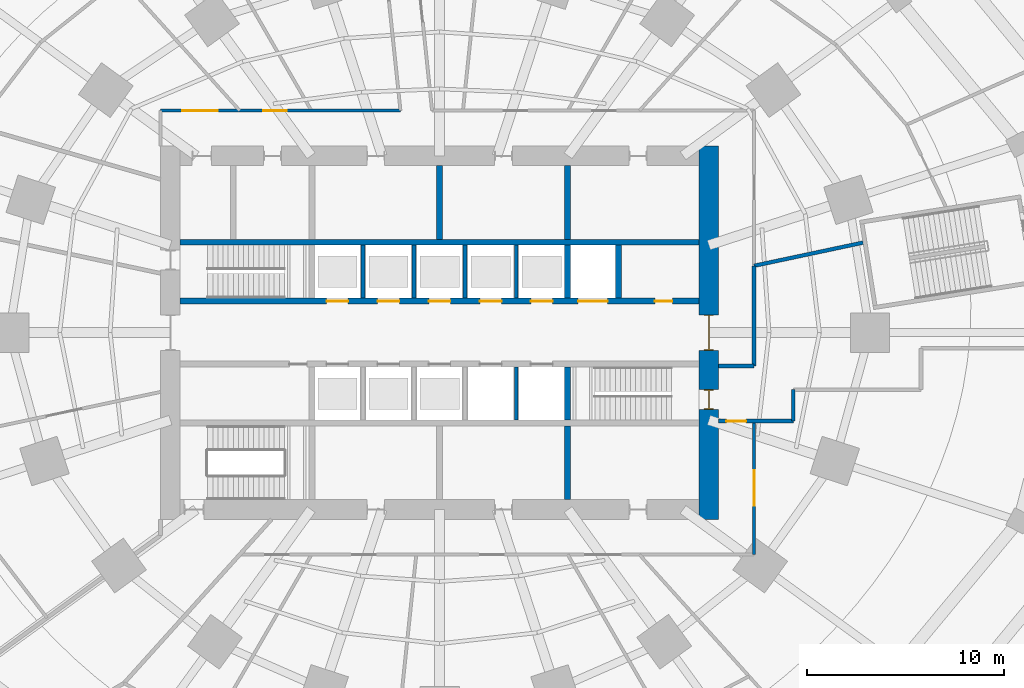
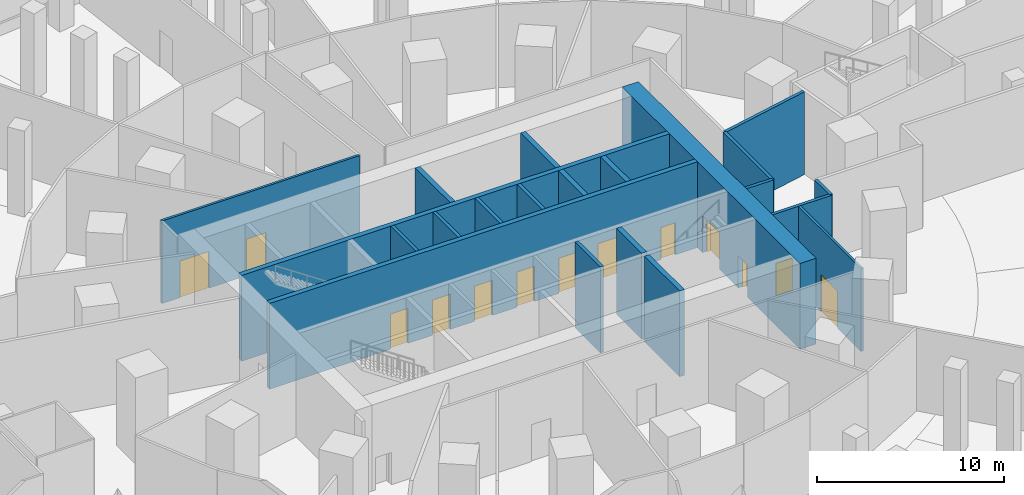
# One storey, part 17 of 23: 21 walls, 13 doors, 13 openings.
"""IFC4 building model written with IfcOpenShell, lengths in metres."""

from ifc_helpers import new_model, si_unit, direction, frame, frame_2d, origin, place, context, subcontext, project, spatial, rectangle, extrude, material, layer, layer_set, type_object, element, fill, save


model = new_model("IFC4")

# Units and contexts
model_context = context("Model", 3, precision=1e-05, world=origin(), true_north=direction((0.0, 1.0)))
body_context = subcontext(model_context, "Body", "Model", "MODEL_VIEW")
ifc_project = project(units=[si_unit("LENGTHUNIT", "METRE"), si_unit("AREAUNIT", "SQUARE_METRE"), si_unit("VOLUMEUNIT", "CUBIC_METRE"), si_unit("PLANEANGLEUNIT", "RADIAN"), si_unit("MASSUNIT", "GRAM", prefix="KILO")], contexts=[model_context])

# Site, building, storey
site_placement = place(None, origin())
site = spatial("IfcSite", under=ifc_project, at=site_placement, CompositionType="ELEMENT")
building_placement = place(site_placement, origin())
building = spatial("IfcBuilding", under=site, at=building_placement, Name="Marramba Exchange Tower", CompositionType="ELEMENT")
storey_placement = place(building_placement, origin())
storey = spatial("IfcBuildingStorey", under=building, at=storey_placement, Name="L00", CompositionType="ELEMENT", Elevation=0.0)

# Walls
ifc_material_1 = material(Name="Concrete N50", Category="concrete")
ifc_layer_1 = layer(ifc_material_1, 0.199951171875)
ifc_layer_set_1 = layer_set([ifc_layer_1], Name="Core shaft wall 200")
wall_type_1 = type_object("IfcWallType", Name="Core shaft wall 200", PredefinedType="SHEAR", material=ifc_layer_set_1)
for number, where, z_axis, x_axis, name in (
    (1, (-3.89990234375, 1.75, 0.0), (0.0, 0.0, 1.0), (0.0, 1.0, 0.0), "Core wall SHN1 L00"),
    (2, (-1.300048828125, 1.75, 0.0), (0.0, 0.0, 1.0), (0.0, 1.0, 0.0), "Core wall SHN2 L00"),
    (3, (1.300048828125, 1.75, 0.0), (0.0, 0.0, 1.0), (0.0, 1.0, 0.0), "Core wall SHN3 L00"),
    (4, (3.89990234375, 1.75, 0.0), (0.0, 0.0, 1.0), (0.0, 1.0, 0.0), "Core wall SHN4 L00"),
    (5, (3.89990234375, -1.75, 0.0), (0.0, 0.0, 1.0), (0.0, -1.0, 0.0), "Core wall SHS4 L00"),
):
    element("IfcWall", number, at=place(storey_placement, frame(where, z_axis=z_axis, x_axis=x_axis)), inside=storey, type_object=wall_type_1, Name=name, PredefinedType="SHEAR", context=body_context, shape_type="SweptSolid", body=[
        extrude(rectangle(XDim=2.699951171875, YDim=0.199951171875, at=frame_2d((1.35009765625, 0.0))), origin(), (0.0, 0.0, 1.0), 5.60009765625),
    ])

# Wall, openings, doors
ifc_layer_2 = layer(ifc_material_1, 1.0)
ifc_layer_set_2 = layer_set([ifc_layer_2], Name="Core wall 1000")
wall_type_2 = type_object("IfcWallType", Name="Core wall 1000", PredefinedType="SHEAR", material=ifc_layer_set_2)
wall_1_placement = place(storey_placement, frame((13.699951171875, -9.5, 0.0), z_axis=(0.0, 0.0, 1.0), x_axis=(0.0, 1.0, 0.0)))
wall_1 = element("IfcWall", 6, at=wall_1_placement, inside=storey, type_object=wall_type_2, Name="Core wall E L00", PredefinedType="SHEAR", context=body_context, shape_type="SweptSolid", body=[
    extrude(rectangle(XDim=19.0, YDim=1.0, at=frame_2d((9.5, 0.0))), origin(), (0.0, 0.0, 1.0), 5.60009765625),
])
opening_1_placement = place(wall_1_placement, frame((8.60009765625, 0.0, 0.0)))
opening_1 = element("IfcOpeningElement", 7, at=opening_1_placement, cuts=wall_1, Name="Opening D1", PredefinedType="OPENING", context=body_context, shape_type="SweptSolid", body=[
    extrude(rectangle(XDim=1.800048828125, YDim=2.39990234375, at=frame_2d((0.89990234375, 1.199951171875))), frame((0.0, 0.510009765625, 0.0), z_axis=(0.0, -1.0, 0.0), x_axis=(1.0, 0.0, 0.0)), (0.0, 0.0, 1.0), 1.02001953125),
])
opening_2_placement = place(wall_1_placement, frame((5.60009765625, 0.0, 0.0)))
opening_2 = element("IfcOpeningElement", 8, at=opening_2_placement, cuts=wall_1, Name="Opening D2", PredefinedType="OPENING", context=body_context, shape_type="SweptSolid", body=[
    extrude(rectangle(XDim=1.0, YDim=2.10009765625, at=frame_2d((0.5, 1.050048828125))), frame((0.0, 0.510009765625, 0.0), z_axis=(0.0, -1.0, 0.0), x_axis=(1.0, 0.0, 0.0)), (0.0, 0.0, 1.0), 1.02001953125),
])
ifc_material_2 = material(Name="Steel-framed door", Category="steel")
door_type_1 = type_object("IfcDoorType", Name="Lobby exit door 1800x2400", OperationType="DOUBLE_DOOR_SINGLE_SWING", PredefinedType="DOOR", material=ifc_material_2)
door_1_placement = place(opening_1_placement, origin())
door_1 = element("IfcDoor", 9, at=door_1_placement, inside=storey, type_object=door_type_1, Name="D1 lobby exit east L00", OperationType="DOUBLE_DOOR_SINGLE_SWING", OverallHeight=2.39990234375, OverallWidth=1.800048828125, PredefinedType="DOOR", context=body_context, shape_type="SweptSolid", body=[
    extrude(rectangle(XDim=1.719970703125, YDim=2.35986328125, at=frame_2d((0.89990234375, 1.179931640625))), frame((0.0, 0.02490234375, 0.0), z_axis=(0.0, -1.0, 0.0), x_axis=(1.0, 0.0, 0.0)), (0.0, 0.0, 1.0), 0.050048828125),
    extrude(rectangle(XDim=0.04, YDim=2.39990234375, at=frame_2d((0.02001953125, 1.199951171875))), frame((0.0, 0.25, 0.0), z_axis=(0.0, -1.0, 0.0), x_axis=(1.0, 0.0, 0.0)), (0.0, 0.0, 1.0), 0.5),
    extrude(rectangle(XDim=0.04, YDim=2.39990234375, at=frame_2d((1.780029296875, 1.199951171875))), frame((0.0, 0.25, 0.0), z_axis=(0.0, -1.0, 0.0), x_axis=(1.0, 0.0, 0.0)), (0.0, 0.0, 1.0), 0.5),
    extrude(rectangle(XDim=1.719970703125, YDim=0.04, at=frame_2d((0.89990234375, 2.3798828125))), frame((0.0, 0.25, 0.0), z_axis=(0.0, -1.0, 0.0), x_axis=(1.0, 0.0, 0.0)), (0.0, 0.0, 1.0), 0.5),
])
fill(opening_1, door_1)
door_type_2 = type_object("IfcDoorType", Name="Stair door 1000x2100", OperationType="SINGLE_SWING_LEFT", PredefinedType="DOOR", material=ifc_material_2)
door_2_placement = place(opening_2_placement, frame((1.0, 0.0, 0.0), z_axis=(0.0, 0.0, 1.0), x_axis=(-1.0, 0.0, 0.0)))
door_2 = element("IfcDoor", 10, at=door_2_placement, inside=storey, type_object=door_type_2, Name="D2 stair ST2 L00", OperationType="SINGLE_SWING_RIGHT", OverallHeight=2.10009765625, OverallWidth=1.0, PredefinedType="DOOR", context=body_context, shape_type="SweptSolid", body=[
    extrude(rectangle(XDim=0.919921875, YDim=2.06005859375, at=frame_2d((0.5, 1.030029296875))), frame((0.0, 0.025146484375, 0.0), z_axis=(0.0, -1.0, 0.0), x_axis=(1.0, 0.0, 0.0)), (0.0, 0.0, 1.0), 0.050048828125),
    extrude(rectangle(XDim=0.04, YDim=2.10009765625, at=frame_2d((0.97998046875, 1.050048828125))), frame((0.0, 0.25, 0.0), z_axis=(0.0, -1.0, 0.0), x_axis=(1.0, 0.0, 0.0)), (0.0, 0.0, 1.0), 0.5),
    extrude(rectangle(XDim=0.04, YDim=2.10009765625, at=frame_2d((0.02001953125, 1.050048828125))), frame((0.0, 0.25, 0.0), z_axis=(0.0, -1.0, 0.0), x_axis=(1.0, 0.0, 0.0)), (0.0, 0.0, 1.0), 0.5),
    extrude(rectangle(XDim=0.919921875, YDim=0.04, at=frame_2d((0.5, 2.080078125))), frame((0.0, 0.25, 0.0), z_axis=(0.0, -1.0, 0.0), x_axis=(1.0, 0.0, 0.0)), (0.0, 0.0, 1.0), 0.5),
])
fill(opening_2, door_2)

ifc_layer_3 = layer(ifc_material_1, 0.300048828125)
ifc_layer_set_3 = layer_set([ifc_layer_3], Name="Core wall 300")
wall_type_3 = type_object("IfcWallType", Name="Core wall 300", PredefinedType="SHEAR", material=ifc_layer_set_3)
wall_2_placement = place(storey_placement, frame((-13.199951171875, 1.60009765625, 0.0), z_axis=(0.0, 0.0, 1.0), x_axis=(1.0, 0.0, 0.0)))
wall_2 = element("IfcWall", 11, at=wall_2_placement, inside=storey, type_object=wall_type_3, Name="Core wall LN L00", PredefinedType="SHEAR", context=body_context, shape_type="SweptSolid", body=[
    extrude(rectangle(XDim=26.39990234375, YDim=0.300048828125, at=frame_2d((13.199951171875, 0.0))), origin(), (0.0, 0.0, 1.0), 5.60009765625),
])
opening_3_placement = place(wall_2_placement, frame((20.25, 0.0, 0.0)))
opening_3 = element("IfcOpeningElement", 12, at=opening_3_placement, cuts=wall_2, Name="Opening LD3", PredefinedType="OPENING", context=body_context, shape_type="SweptSolid", body=[
    extrude(rectangle(XDim=1.5, YDim=2.39990234375, at=frame_2d((0.75, 1.199951171875))), frame((0.0, 0.159912109375, 0.0), z_axis=(0.0, -1.0, 0.0), x_axis=(1.0, 0.0, 0.0)), (0.0, 0.0, 1.0), 0.320068359375),
])
opening_4_placement = place(wall_2_placement, frame((7.449951171875, 0.0, 0.0)))
opening_4 = element("IfcOpeningElement", 13, at=opening_4_placement, cuts=wall_2, Name="Opening LD1", PredefinedType="OPENING", context=body_context, shape_type="SweptSolid", body=[
    extrude(rectangle(XDim=1.10009765625, YDim=2.300048828125, at=frame_2d((0.550048828125, 1.14990234375))), frame((0.0, 0.159912109375, 0.0), z_axis=(0.0, -1.0, 0.0), x_axis=(1.0, 0.0, 0.0)), (0.0, 0.0, 1.0), 0.320068359375),
])
opening_5_placement = place(wall_2_placement, frame((10.050048828125, 0.0, 0.0)))
opening_5 = element("IfcOpeningElement", 14, at=opening_5_placement, cuts=wall_2, Name="Opening LD1", PredefinedType="OPENING", context=body_context, shape_type="SweptSolid", body=[
    extrude(rectangle(XDim=1.10009765625, YDim=2.300048828125, at=frame_2d((0.550048828125, 1.14990234375))), frame((0.0, 0.159912109375, 0.0), z_axis=(0.0, -1.0, 0.0), x_axis=(1.0, 0.0, 0.0)), (0.0, 0.0, 1.0), 0.320068359375),
])
opening_6_placement = place(wall_2_placement, frame((12.64990234375, 0.0, 0.0)))
opening_6 = element("IfcOpeningElement", 15, at=opening_6_placement, cuts=wall_2, Name="Opening LD1", PredefinedType="OPENING", context=body_context, shape_type="SweptSolid", body=[
    extrude(rectangle(XDim=1.10009765625, YDim=2.300048828125, at=frame_2d((0.550048828125, 1.14990234375))), frame((0.0, 0.159912109375, 0.0), z_axis=(0.0, -1.0, 0.0), x_axis=(1.0, 0.0, 0.0)), (0.0, 0.0, 1.0), 0.320068359375),
])
opening_7_placement = place(wall_2_placement, frame((15.25, 0.0, 0.0)))
opening_7 = element("IfcOpeningElement", 16, at=opening_7_placement, cuts=wall_2, Name="Opening LD1", PredefinedType="OPENING", context=body_context, shape_type="SweptSolid", body=[
    extrude(rectangle(XDim=1.10009765625, YDim=2.300048828125, at=frame_2d((0.550048828125, 1.14990234375))), frame((0.0, 0.159912109375, 0.0), z_axis=(0.0, -1.0, 0.0), x_axis=(1.0, 0.0, 0.0)), (0.0, 0.0, 1.0), 0.320068359375),
])
opening_8_placement = place(wall_2_placement, frame((17.85009765625, 0.0, 0.0)))
opening_8 = element("IfcOpeningElement", 17, at=opening_8_placement, cuts=wall_2, Name="Opening LD1", PredefinedType="OPENING", context=body_context, shape_type="SweptSolid", body=[
    extrude(rectangle(XDim=1.10009765625, YDim=2.300048828125, at=frame_2d((0.550048828125, 1.14990234375))), frame((0.0, 0.159912109375, 0.0), z_axis=(0.0, -1.0, 0.0), x_axis=(1.0, 0.0, 0.0)), (0.0, 0.0, 1.0), 0.320068359375),
])
opening_9_placement = place(wall_2_placement, frame((24.14990234375, 0.0, 0.0)))
opening_9 = element("IfcOpeningElement", 18, at=opening_9_placement, cuts=wall_2, Name="Opening D5", PredefinedType="OPENING", context=body_context, shape_type="SweptSolid", body=[
    extrude(rectangle(XDim=0.89990234375, YDim=2.10009765625, at=frame_2d((0.449951171875, 1.050048828125))), frame((0.0, 0.159912109375, 0.0), z_axis=(0.0, -1.0, 0.0), x_axis=(1.0, 0.0, 0.0)), (0.0, 0.0, 1.0), 0.320068359375),
])
door_type_3 = type_object("IfcDoorType", Name="Goods lift landing door 1500x2400", OperationType="SLIDING_TO_LEFT", PredefinedType="DOOR", material=ifc_material_2)
door_3_placement = place(opening_3_placement, origin())
door_3 = element("IfcDoor", 19, at=door_3_placement, inside=storey, type_object=door_type_3, Name="GL1 landing door L00", OperationType="SLIDING_TO_RIGHT", OverallHeight=2.39990234375, OverallWidth=1.5, PredefinedType="DOOR", context=body_context, shape_type="SweptSolid", body=[
    extrude(rectangle(XDim=1.5, YDim=2.39990234375, at=frame_2d((0.75, 1.199951171875))), frame((0.0, 0.02490234375, 0.0), z_axis=(0.0, -1.0, 0.0), x_axis=(1.0, 0.0, 0.0)), (0.0, 0.0, 1.0), 0.050048828125),
])
fill(opening_3, door_3)
door_type_4 = type_object("IfcDoorType", Name="Lift landing door 1100x2300", OperationType="SLIDING_TO_LEFT", PredefinedType="DOOR", material=ifc_material_2)
door_4_placement = place(opening_4_placement, origin())
door_4 = element("IfcDoor", 20, at=door_4_placement, inside=storey, type_object=door_type_4, Name="LA1 landing door L00", OperationType="SLIDING_TO_LEFT", OverallHeight=2.300048828125, OverallWidth=1.10009765625, PredefinedType="DOOR", context=body_context, shape_type="SweptSolid", body=[
    extrude(rectangle(XDim=1.10009765625, YDim=2.300048828125, at=frame_2d((0.550048828125, 1.14990234375))), frame((0.0, 0.02490234375, 0.0), z_axis=(0.0, -1.0, 0.0), x_axis=(1.0, 0.0, 0.0)), (0.0, 0.0, 1.0), 0.050048828125),
])
fill(opening_4, door_4)
door_5_placement = place(opening_5_placement, origin())
door_5 = element("IfcDoor", 21, at=door_5_placement, inside=storey, type_object=door_type_4, Name="LA2 landing door L00", OperationType="SLIDING_TO_LEFT", OverallHeight=2.300048828125, OverallWidth=1.10009765625, PredefinedType="DOOR", context=body_context, shape_type="SweptSolid", body=[
    extrude(rectangle(XDim=1.10009765625, YDim=2.300048828125, at=frame_2d((0.550048828125, 1.14990234375))), frame((0.0, 0.02490234375, 0.0), z_axis=(0.0, -1.0, 0.0), x_axis=(1.0, 0.0, 0.0)), (0.0, 0.0, 1.0), 0.050048828125),
])
fill(opening_5, door_5)
door_6_placement = place(opening_6_placement, origin())
door_6 = element("IfcDoor", 22, at=door_6_placement, inside=storey, type_object=door_type_4, Name="LA3 landing door L00", OperationType="SLIDING_TO_LEFT", OverallHeight=2.300048828125, OverallWidth=1.10009765625, PredefinedType="DOOR", context=body_context, shape_type="SweptSolid", body=[
    extrude(rectangle(XDim=1.10009765625, YDim=2.300048828125, at=frame_2d((0.550048828125, 1.14990234375))), frame((0.0, 0.02490234375, 0.0), z_axis=(0.0, -1.0, 0.0), x_axis=(1.0, 0.0, 0.0)), (0.0, 0.0, 1.0), 0.050048828125),
])
fill(opening_6, door_6)
door_7_placement = place(opening_7_placement, origin())
door_7 = element("IfcDoor", 23, at=door_7_placement, inside=storey, type_object=door_type_4, Name="LD1 landing door L00", OperationType="SLIDING_TO_LEFT", OverallHeight=2.300048828125, OverallWidth=1.10009765625, PredefinedType="DOOR", context=body_context, shape_type="SweptSolid", body=[
    extrude(rectangle(XDim=1.10009765625, YDim=2.300048828125, at=frame_2d((0.550048828125, 1.14990234375))), frame((0.0, 0.02490234375, 0.0), z_axis=(0.0, -1.0, 0.0), x_axis=(1.0, 0.0, 0.0)), (0.0, 0.0, 1.0), 0.050048828125),
])
fill(opening_7, door_7)
door_8_placement = place(opening_8_placement, origin())
door_8 = element("IfcDoor", 24, at=door_8_placement, inside=storey, type_object=door_type_4, Name="LD2 landing door L00", OperationType="SLIDING_TO_LEFT", OverallHeight=2.300048828125, OverallWidth=1.10009765625, PredefinedType="DOOR", context=body_context, shape_type="SweptSolid", body=[
    extrude(rectangle(XDim=1.10009765625, YDim=2.300048828125, at=frame_2d((0.550048828125, 1.14990234375))), frame((0.0, 0.02490234375, 0.0), z_axis=(0.0, -1.0, 0.0), x_axis=(1.0, 0.0, 0.0)), (0.0, 0.0, 1.0), 0.050048828125),
])
fill(opening_8, door_8)
door_type_5 = type_object("IfcDoorType", Name="Service door 900x2100", OperationType="SINGLE_SWING_LEFT", PredefinedType="DOOR", material=ifc_material_2)
door_9_placement = place(opening_9_placement, origin())
door_9 = element("IfcDoor", 25, at=door_9_placement, inside=storey, type_object=door_type_5, Name="D5 riser L00", OperationType="SINGLE_SWING_RIGHT", OverallHeight=2.10009765625, OverallWidth=0.89990234375, PredefinedType="DOOR", context=body_context, shape_type="SweptSolid", body=[
    extrude(rectangle(XDim=0.89990234375, YDim=2.10009765625, at=frame_2d((0.449951171875, 1.050048828125))), frame((0.0, 0.02490234375, 0.0), z_axis=(0.0, -1.0, 0.0), x_axis=(1.0, 0.0, 0.0)), (0.0, 0.0, 1.0), 0.050048828125),
])
fill(opening_9, door_9)

# Walls
wall_3_placement = place(storey_placement, frame((-13.199951171875, 4.60009765625, 0.0), z_axis=(0.0, 0.0, 1.0), x_axis=(1.0, 0.0, 0.0)))
element("IfcWall", 26, at=wall_3_placement, inside=storey, type_object=wall_type_3, Name="Core wall BN L00", PredefinedType="SHEAR", context=body_context, shape_type="SweptSolid", body=[
    extrude(rectangle(XDim=26.39990234375, YDim=0.300048828125, at=frame_2d((13.199951171875, 0.0))), origin(), (0.0, 0.0, 1.0), 5.60009765625),
])
wall_4_placement = place(storey_placement, frame((6.5, 1.75, 0.0), z_axis=(0.0, 0.0, 1.0), x_axis=(0.0, 1.0, 0.0)))
element("IfcWall", 27, at=wall_4_placement, inside=storey, type_object=wall_type_3, Name="Core wall X1Na L00", PredefinedType="SHEAR", context=body_context, shape_type="SweptSolid", body=[
    extrude(rectangle(XDim=2.699951171875, YDim=0.300048828125, at=frame_2d((1.35009765625, 0.0))), origin(), (0.0, 0.0, 1.0), 5.60009765625),
])
for number, where, z_axis, x_axis, name in (
    (28, (6.5, 4.75, 0.0), (0.0, 0.0, 1.0), (0.0, 1.0, 0.0), "Core wall X1Nb L00"),
    (29, (0.0, 4.75, 0.0), (0.0, 0.0, 1.0), (0.0, 1.0, 0.0), "Core wall MN L00"),
):
    element("IfcWall", number, at=place(storey_placement, frame(where, z_axis=z_axis, x_axis=x_axis)), inside=storey, type_object=wall_type_3, Name=name, PredefinedType="SHEAR", context=body_context, shape_type="SweptSolid", body=[
        extrude(rectangle(XDim=3.75, YDim=0.300048828125, at=frame_2d((1.875, 0.0))), origin(), (0.0, 0.0, 1.0), 5.60009765625),
    ])
wall_5_placement = place(storey_placement, frame((6.5, -1.75, 0.0), z_axis=(0.0, 0.0, 1.0), x_axis=(0.0, -1.0, 0.0)))
element("IfcWall", 30, at=wall_5_placement, inside=storey, type_object=wall_type_3, Name="Core wall X1Sa L00", PredefinedType="SHEAR", context=body_context, shape_type="SweptSolid", body=[
    extrude(rectangle(XDim=2.699951171875, YDim=0.300048828125, at=frame_2d((1.35009765625, 0.0))), origin(), (0.0, 0.0, 1.0), 5.60009765625),
])
wall_6_placement = place(storey_placement, frame((6.5, -4.75, 0.0), z_axis=(0.0, 0.0, 1.0), x_axis=(0.0, -1.0, 0.0)))
element("IfcWall", 31, at=wall_6_placement, inside=storey, type_object=wall_type_3, Name="Core wall X1Sb L00", PredefinedType="SHEAR", context=body_context, shape_type="SweptSolid", body=[
    extrude(rectangle(XDim=3.75, YDim=0.300048828125, at=frame_2d((1.875, 0.0))), origin(), (0.0, 0.0, 1.0), 5.60009765625),
])
wall_7_placement = place(storey_placement, frame((9.10009765625, 1.75, 0.0), z_axis=(0.0, 0.0, 1.0), x_axis=(0.0, 1.0, 0.0)))
element("IfcWall", 32, at=wall_7_placement, inside=storey, type_object=wall_type_3, Name="Core wall ED L00", PredefinedType="SHEAR", context=body_context, shape_type="SweptSolid", body=[
    extrude(rectangle(XDim=2.699951171875, YDim=0.300048828125, at=frame_2d((1.35009765625, 0.0))), origin(), (0.0, 0.0, 1.0), 5.60009765625),
])

# Wall, opening, door
ifc_material_3 = material(Name="Core-filled concrete blockwork, rendered", Category="masonry")
ifc_layer_4 = layer(ifc_material_3, 0.18994140625)
ifc_layer_set_4 = layer_set([ifc_layer_4], Name="Equipment room wall 190")
wall_type_4 = type_object("IfcWallType", Name="Equipment room wall 190", PredefinedType="SOLIDWALL", material=ifc_layer_set_4)
wall_8_placement = place(storey_placement, frame((14.199951171875, -4.5, 0.0), z_axis=(0.0, 0.0, 1.0), x_axis=(1.0, 0.0, 0.0)))
wall_8 = element("IfcWall", 33, at=wall_8_placement, inside=storey, type_object=wall_type_4, Name="Fire control room wall L00 36", PredefinedType="SOLIDWALL", context=body_context, shape_type="SweptSolid", body=[
    extrude(rectangle(XDim=3.800048828125, YDim=0.18994140625, at=frame_2d((1.89990234375, 0.0))), origin(), (0.0, 0.0, 1.0), 5.39990234375),
])
opening_10_placement = place(wall_8_placement, frame((0.39990234375, 0.0, 0.0)))
opening_10 = element("IfcOpeningElement", 34, at=opening_10_placement, cuts=wall_8, Name="Opening D19", PredefinedType="OPENING", context=body_context, shape_type="SweptSolid", body=[
    extrude(rectangle(XDim=1.0, YDim=2.10009765625, at=frame_2d((0.5, 1.050048828125))), frame((0.0, 0.10498046875, 0.0), z_axis=(0.0, -1.0, 0.0), x_axis=(1.0, 0.0, 0.0)), (0.0, 0.0, 1.0), 0.2099609375),
])
door_type_6 = type_object("IfcDoorType", Name="Fire control room door 1000x2100", OperationType="SINGLE_SWING_LEFT", PredefinedType="DOOR", material=ifc_material_2)
door_10_placement = place(opening_10_placement, origin())
door_10 = element("IfcDoor", 35, at=door_10_placement, inside=storey, type_object=door_type_6, Name="D19 Exit Passage ST2 L00", OperationType="SINGLE_SWING_LEFT", OverallHeight=2.10009765625, OverallWidth=1.0, PredefinedType="DOOR", context=body_context, shape_type="SweptSolid", body=[
    extrude(rectangle(XDim=1.0, YDim=2.10009765625, at=frame_2d((0.5, 1.050048828125))), frame((0.0, 0.02490234375, 0.0), z_axis=(0.0, -1.0, 0.0), x_axis=(1.0, 0.0, 0.0)), (0.0, 0.0, 1.0), 0.050048828125),
])
fill(opening_10, door_10)

# Walls
wall_9_placement = place(storey_placement, frame((18.0, -4.5, 0.0), z_axis=(0.0, 0.0, 1.0), x_axis=(0.0, 1.0, 0.0)))
element("IfcWall", 36, at=wall_9_placement, inside=storey, type_object=wall_type_4, Name="Fire control room wall L00 37", PredefinedType="SOLIDWALL", context=body_context, shape_type="SweptSolid", body=[
    extrude(rectangle(XDim=1.60009765625, YDim=0.18994140625, at=frame_2d((0.800048828125, 0.0))), origin(), (0.0, 0.0, 1.0), 5.39990234375),
])
wall_10_placement = place(storey_placement, frame((16.0, -1.699951171875, 0.0), z_axis=(0.0, 0.0, 1.0), x_axis=(-1.0, 0.0, 0.0)))
element("IfcWall", 37, at=wall_10_placement, inside=storey, type_object=wall_type_4, Name="Fire control room wall L00 39", PredefinedType="SOLIDWALL", context=body_context, shape_type="SweptSolid", body=[
    extrude(rectangle(XDim=1.800048828125, YDim=0.18994140625, at=frame_2d((0.89990234375, 0.0))), origin(), (0.0, 0.0, 1.0), 5.39990234375),
])
wall_11_placement = place(storey_placement, frame((16.0, 3.40087890625, 0.0), z_axis=(0.0, 0.0, 1.0), x_axis=(0.0, -1.0, 0.0)))
element("IfcWall", 38, at=wall_11_placement, inside=storey, type_object=wall_type_4, Name="Fire control room wall L00 42", PredefinedType="SOLIDWALL", context=body_context, shape_type="SweptSolid", body=[
    extrude(rectangle(XDim=5.100830078125, YDim=0.18994140625, at=frame_2d((2.55029296875, 0.0))), origin(), (0.0, 0.0, 1.0), 5.39990234375),
])
wall_12_placement = place(storey_placement, frame((21.548583984375, 4.580322265625, 0.0), z_axis=(0.0, 0.0, 1.0), x_axis=(-0.978145613613, -0.207921039265, 0.0)))
element("IfcWall", 39, at=wall_12_placement, inside=storey, type_object=wall_type_4, Name="Fire control room wall L00 44", PredefinedType="SOLIDWALL", context=body_context, shape_type="SweptSolid", body=[
    extrude(rectangle(XDim=5.672607421875, YDim=0.18994140625, at=frame_2d((2.83642578125, 0.0))), origin(), (0.0, 0.0, 1.0), 5.39990234375),
])

# Wall, opening, door
ifc_material_4 = material(Name="Fire-rated plasterboard on steel studs, acoustic insulation", Category="steel")
ifc_layer_5 = layer(ifc_material_4, 0.14990234375)
ifc_layer_set_5 = layer_set([ifc_layer_5], Name="Tenancy wall 150")
wall_type_5 = type_object("IfcWallType", Name="Tenancy wall 150", PredefinedType="PARTITIONING", material=ifc_layer_set_5)
wall_13_placement = place(storey_placement, frame((16.0, -11.300048828125, 0.0), z_axis=(0.0, 0.0, 1.0), x_axis=(0.0, 1.0, 0.0)))
wall_13 = element("IfcWall", 40, at=wall_13_placement, inside=storey, type_object=wall_type_5, Name="Tenancy wall L00 35", PredefinedType="PARTITIONING", context=body_context, shape_type="SweptSolid", body=[
    extrude(rectangle(XDim=6.800048828125, YDim=0.14990234375, at=frame_2d((3.39990234375, 0.0))), origin(), (0.0, 0.0, 1.0), 5.39990234375),
])
opening_11_placement = place(wall_13_placement, frame((2.5, 0.0, 0.0)))
opening_11 = element("IfcOpeningElement", 41, at=opening_11_placement, cuts=wall_13, Name="Opening D18", PredefinedType="OPENING", context=body_context, shape_type="SweptSolid", body=[
    extrude(rectangle(XDim=1.800048828125, YDim=2.39990234375, at=frame_2d((0.89990234375, 1.199951171875))), frame((0.0, 0.0849609375, 0.0), z_axis=(0.0, -1.0, 0.0), x_axis=(1.0, 0.0, 0.0)), (0.0, 0.0, 1.0), 0.169921875),
])
door_type_7 = type_object("IfcDoorType", Name="Door pair 1800x2400", OperationType="DOUBLE_DOOR_SINGLE_SWING", PredefinedType="DOOR", material=ifc_material_2)
door_11_placement = place(opening_11_placement, origin())
door_11 = element("IfcDoor", 42, at=door_11_placement, inside=storey, type_object=door_type_7, Name="D18 Exchange Hall L00", OperationType="DOUBLE_DOOR_SINGLE_SWING", OverallHeight=2.39990234375, OverallWidth=1.800048828125, PredefinedType="DOOR", context=body_context, shape_type="SweptSolid", body=[
    extrude(rectangle(XDim=1.800048828125, YDim=2.39990234375, at=frame_2d((0.89990234375, 1.199951171875))), frame((0.0, 0.02490234375, 0.0), z_axis=(0.0, -1.0, 0.0), x_axis=(1.0, 0.0, 0.0)), (0.0, 0.0, 1.0), 0.050048828125),
])
fill(opening_11, door_11)

# Wall, openings, doors
wall_14_placement = place(storey_placement, frame((-1.9921875, 11.300048828125, 0.0), z_axis=(0.0, 0.0, 1.0), x_axis=(-1.0, 0.0, 0.0)))
wall_14 = element("IfcWall", 43, at=wall_14_placement, inside=storey, type_object=wall_type_5, Name="Tenancy wall L00 67", PredefinedType="PARTITIONING", context=body_context, shape_type="SweptSolid", body=[
    extrude(rectangle(XDim=12.207763671875, YDim=0.14990234375, at=frame_2d((6.10400390625, 0.0))), origin(), (0.0, 0.0, 1.0), 5.39990234375),
])
opening_12_placement = place(wall_14_placement, frame((5.781982421875, 0.0, 0.0)))
opening_12 = element("IfcOpeningElement", 44, at=opening_12_placement, cuts=wall_14, Name="Opening D13", PredefinedType="OPENING", context=body_context, shape_type="SweptSolid", body=[
    extrude(rectangle(XDim=1.199951171875, YDim=2.39990234375, at=frame_2d((0.60009765625, 1.199951171875))), frame((0.0, 0.0849609375, 0.0), z_axis=(0.0, -1.0, 0.0), x_axis=(1.0, 0.0, 0.0)), (0.0, 0.0, 1.0), 0.169921875),
])
opening_13_placement = place(wall_14_placement, frame((9.294921875, 0.0, 0.0)))
opening_13 = element("IfcOpeningElement", 45, at=opening_13_placement, cuts=wall_14, Name="Opening D18", PredefinedType="OPENING", context=body_context, shape_type="SweptSolid", body=[
    extrude(rectangle(XDim=1.800048828125, YDim=2.39990234375, at=frame_2d((0.89990234375, 1.199951171875))), frame((0.0, 0.0849609375, 0.0), z_axis=(0.0, -1.0, 0.0), x_axis=(1.0, 0.0, 0.0)), (0.0, 0.0, 1.0), 0.169921875),
])
door_12_placement = place(opening_13_placement, origin())
door_12 = element("IfcDoor", 46, at=door_12_placement, inside=storey, type_object=door_type_7, Name="D18 Cafe Kitchen L00", OperationType="DOUBLE_DOOR_SINGLE_SWING", OverallHeight=2.39990234375, OverallWidth=1.800048828125, PredefinedType="DOOR", context=body_context, shape_type="SweptSolid", body=[
    extrude(rectangle(XDim=1.800048828125, YDim=2.39990234375, at=frame_2d((0.89990234375, 1.199951171875))), frame((0.0, 0.02490234375, 0.0), z_axis=(0.0, -1.0, 0.0), x_axis=(1.0, 0.0, 0.0)), (0.0, 0.0, 1.0), 0.050048828125),
])
fill(opening_13, door_12)
door_type_8 = type_object("IfcDoorType", Name="Tenancy entry door 1200x2400", OperationType="SINGLE_SWING_LEFT", PredefinedType="DOOR", material=ifc_material_2)
door_13_placement = place(opening_12_placement, frame((1.199951171875, 0.0, 0.0), z_axis=(0.0, 0.0, 1.0), x_axis=(-1.0, 0.0, 0.0)))
door_13 = element("IfcDoor", 47, at=door_13_placement, inside=storey, type_object=door_type_8, Name="D13 Building Management Office L00", OperationType="SINGLE_SWING_RIGHT", OverallHeight=2.39990234375, OverallWidth=1.199951171875, PredefinedType="DOOR", context=body_context, shape_type="SweptSolid", body=[
    extrude(rectangle(XDim=1.199951171875, YDim=2.39990234375, at=frame_2d((0.599853515625, 1.199951171875))), frame((0.0, 0.025146484375, 0.0), z_axis=(0.0, -1.0, 0.0), x_axis=(1.0, 0.0, 0.0)), (0.0, 0.0, 1.0), 0.050048828125),
])
fill(opening_12, door_13)

save(model, "model.ifc")
